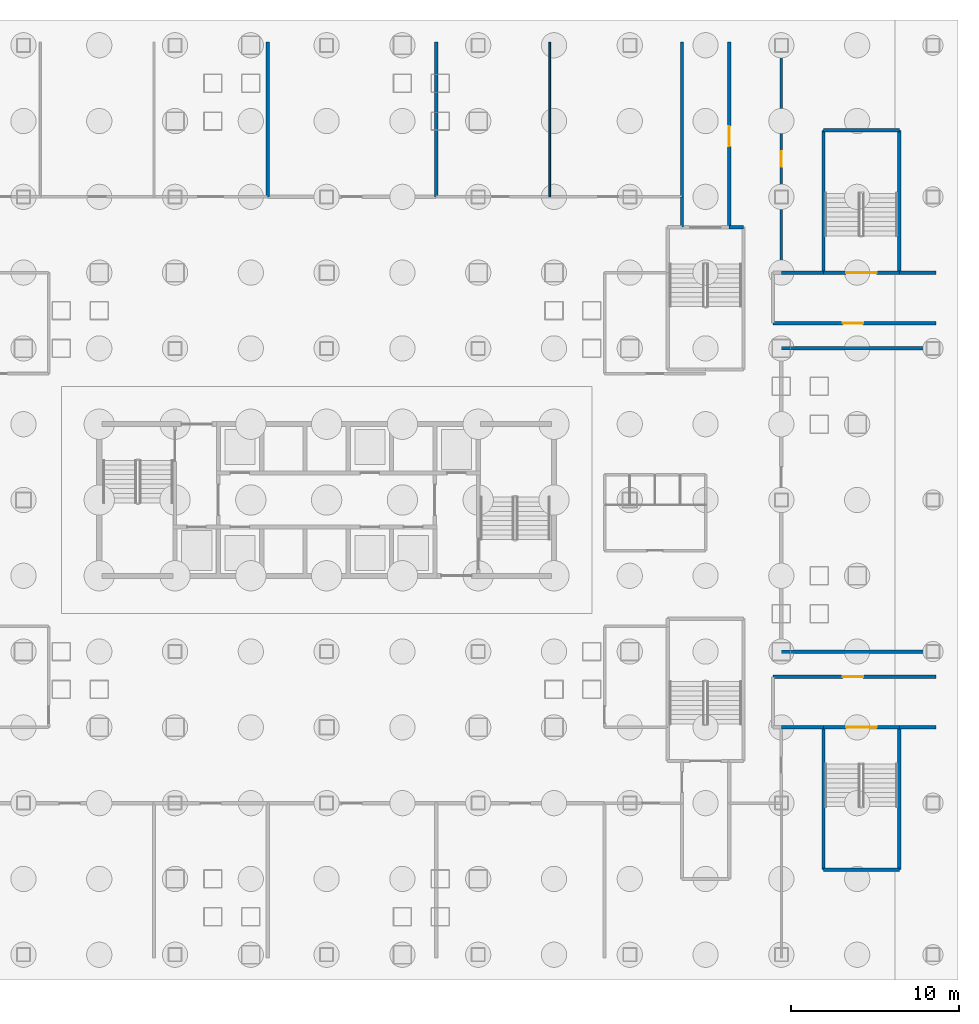
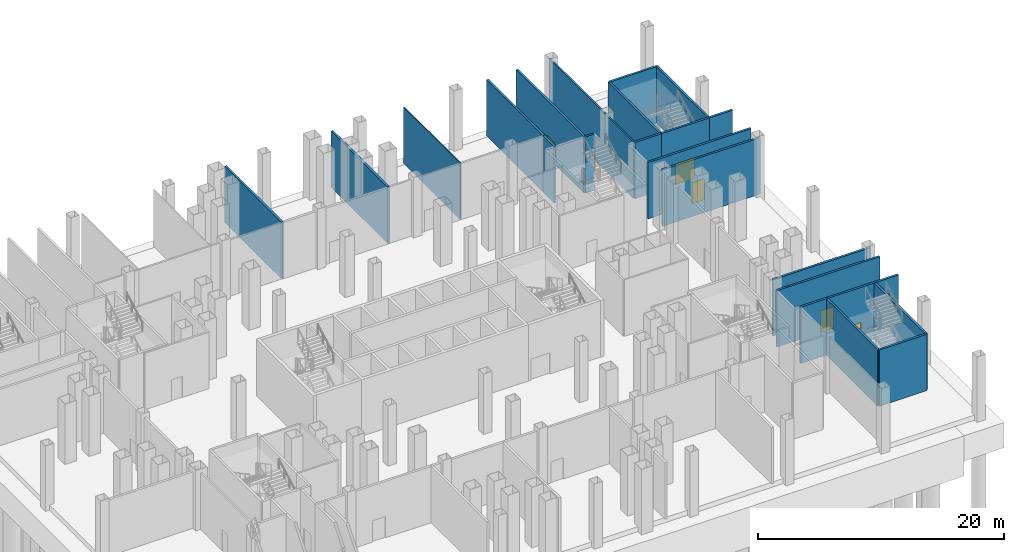
# One storey, part 7 of 25: 24 walls, 6 doors, 6 openings.
"""IFC4 building model written with IfcOpenShell, lengths in metres."""

from ifc_helpers import new_model, si_unit, direction, frame, frame_2d, origin, place, context, subcontext, project, spatial, rectangle, extrude, material, layer, layer_set, type_object, element, fill, save


model = new_model("IFC4")

# Units and contexts
model_context = context("Model", 3, precision=1e-05, world=origin(), true_north=direction((0.0, 1.0)))
body_context = subcontext(model_context, "Body", "Model", "MODEL_VIEW")
ifc_project = project(units=[si_unit("LENGTHUNIT", "METRE"), si_unit("AREAUNIT", "SQUARE_METRE"), si_unit("VOLUMEUNIT", "CUBIC_METRE"), si_unit("PLANEANGLEUNIT", "RADIAN"), si_unit("MASSUNIT", "GRAM", prefix="KILO")], contexts=[model_context])

# Site, building, storey
site_placement = place(None, origin())
site = spatial("IfcSite", under=ifc_project, at=site_placement, CompositionType="ELEMENT")
building_placement = place(site_placement, origin())
building = spatial("IfcBuilding", under=site, at=building_placement, Name="Caravel Reach Hotel and Residences", CompositionType="ELEMENT")
storey_placement = place(building_placement, frame((0.0, 0.0, -6.0)))
storey = spatial("IfcBuildingStorey", under=building, at=storey_placement, Name="B1", CompositionType="ELEMENT", Elevation=-6.0)

# Walls
ifc_material_1 = material(Name="Autoclaved aerated block wall")
ifc_layer_1 = layer(ifc_material_1, 0.199951171875)
ifc_layer_set_1 = layer_set([ifc_layer_1], Name="Compartment wall 200 mm EI 120")
wall_type_1 = type_object("IfcWallType", Name="Compartment wall 200 mm EI 120", PredefinedType="PARTITIONING", material=ifc_layer_set_1)
wall_1_placement = place(storey_placement, frame((58.5, 13.5, 0.0), z_axis=(0.0, 0.0, 1.0), x_axis=(1.0, 0.0, 0.0)))
element("IfcWall", 1, at=wall_1_placement, inside=storey, type_object=wall_type_1, Name="B1 wall w032", PredefinedType="PARTITIONING", context=body_context, shape_type="SweptSolid", body=[
    extrude(rectangle(XDim=2.5, YDim=0.199951171875, at=frame_2d((1.25, 0.0))), origin(), (0.0, 0.0, 1.0), 5.60009765625),
])
wall_2_placement = place(storey_placement, frame((65.5, 13.5, 0.0), z_axis=(0.0, 0.0, 1.0), x_axis=(1.0, 0.0, 0.0)))
element("IfcWall", 2, at=wall_2_placement, inside=storey, type_object=wall_type_1, Name="B1 wall w033", PredefinedType="PARTITIONING", context=body_context, shape_type="SweptSolid", body=[
    extrude(rectangle(XDim=2.18994140625, YDim=0.199951171875, at=frame_2d((1.094970703125, 0.0))), origin(), (0.0, 0.0, 1.0), 5.60009765625),
])

# Wall, opening, door
wall_3_placement = place(storey_placement, frame((58.0, 16.5, 0.0), z_axis=(0.0, 0.0, 1.0), x_axis=(1.0, 0.0, 0.0)))
wall_3 = element("IfcWall", 3, at=wall_3_placement, inside=storey, type_object=wall_type_1, Name="B1 wall w034", PredefinedType="PARTITIONING", context=body_context, shape_type="SweptSolid", body=[
    extrude(rectangle(XDim=9.68994140625, YDim=0.199951171875, at=frame_2d((4.844970703125, 0.0))), origin(), (0.0, 0.0, 1.0), 5.60009765625),
])
opening_1_placement = place(wall_3_placement, frame((4.14990234375, 0.0, 0.0)))
opening_1 = element("IfcOpeningElement", 4, at=opening_1_placement, cuts=wall_3, Name="Opening DB1-026", PredefinedType="OPENING", context=body_context, shape_type="SweptSolid", body=[
    extrude(rectangle(XDim=1.199951171875, YDim=2.10009765625, at=frame_2d((0.60009765625, 1.050048828125))), frame((0.0, 0.10986328125, 0.0), z_axis=(0.0, -1.0, 0.0), x_axis=(1.0, 0.0, 0.0)), (0.0, 0.0, 1.0), 0.219970703125),
])
ifc_material_2 = material(Name="Steel fire door leaf", Category="steel")
door_type_1 = type_object("IfcDoorType", Name="Fire lobby door 1200 x 2100 EI 90", OperationType="SINGLE_SWING_LEFT", PredefinedType="DOOR", material=ifc_material_2)
door_1_placement = place(opening_1_placement, origin())
door_1 = element("IfcDoor", 5, at=door_1_placement, inside=storey, type_object=door_type_1, Name="door DB1-026", OperationType="SINGLE_SWING_LEFT", OverallHeight=2.10009765625, OverallWidth=1.199951171875, PredefinedType="DOOR", context=body_context, shape_type="SweptSolid", body=[
    extrude(rectangle(XDim=1.199951171875, YDim=2.10009765625, at=frame_2d((0.60009765625, 1.050048828125))), frame((0.0, 0.02490234375, 0.0), z_axis=(0.0, -1.0, 0.0), x_axis=(1.0, 0.0, 0.0)), (0.0, 0.0, 1.0), 0.050048828125),
])
fill(opening_1, door_1)

# Walls
for number, where, z_axis, x_axis, name in (
    (6, (58.5, 18.0, 0.0), (0.0, 0.0, 1.0), (1.0, 0.0, 0.0), "B1 wall w036"),
    (7, (58.5, 36.0, 0.0), (0.0, 0.0, 1.0), (1.0, 0.0, 0.0), "B1 wall w038"),
):
    element("IfcWall", number, at=place(storey_placement, frame(where, z_axis=z_axis, x_axis=x_axis)), inside=storey, type_object=wall_type_1, Name=name, PredefinedType="PARTITIONING", context=body_context, shape_type="SweptSolid", body=[
        extrude(rectangle(XDim=9.18994140625, YDim=0.199951171875, at=frame_2d((4.594970703125, 0.0))), origin(), (0.0, 0.0, 1.0), 5.60009765625),
    ])

# Wall, opening, door
wall_4_placement = place(storey_placement, frame((58.0, 37.5, 0.0), z_axis=(0.0, 0.0, 1.0), x_axis=(1.0, 0.0, 0.0)))
wall_4 = element("IfcWall", 8, at=wall_4_placement, inside=storey, type_object=wall_type_1, Name="B1 wall w040", PredefinedType="PARTITIONING", context=body_context, shape_type="SweptSolid", body=[
    extrude(rectangle(XDim=9.68994140625, YDim=0.199951171875, at=frame_2d((4.844970703125, 0.0))), origin(), (0.0, 0.0, 1.0), 5.60009765625),
])
opening_2_placement = place(wall_4_placement, frame((4.14990234375, 0.0, 0.0)))
opening_2 = element("IfcOpeningElement", 9, at=opening_2_placement, cuts=wall_4, Name="Opening DB1-024", PredefinedType="OPENING", context=body_context, shape_type="SweptSolid", body=[
    extrude(rectangle(XDim=1.199951171875, YDim=2.10009765625, at=frame_2d((0.60009765625, 1.050048828125))), frame((0.0, 0.10986328125, 0.0), z_axis=(0.0, -1.0, 0.0), x_axis=(1.0, 0.0, 0.0)), (0.0, 0.0, 1.0), 0.219970703125),
])
door_2_placement = place(opening_2_placement, origin())
door_2 = element("IfcDoor", 10, at=door_2_placement, inside=storey, type_object=door_type_1, Name="door DB1-024", OperationType="SINGLE_SWING_RIGHT", OverallHeight=2.10009765625, OverallWidth=1.199951171875, PredefinedType="DOOR", context=body_context, shape_type="SweptSolid", body=[
    extrude(rectangle(XDim=1.199951171875, YDim=2.10009765625, at=frame_2d((0.60009765625, 1.050048828125))), frame((0.0, 0.02490234375, 0.0), z_axis=(0.0, -1.0, 0.0), x_axis=(1.0, 0.0, 0.0)), (0.0, 0.0, 1.0), 0.050048828125),
])
fill(opening_2, door_2)

# Walls
wall_5_placement = place(storey_placement, frame((58.5, 40.5, 0.0), z_axis=(0.0, 0.0, 1.0), x_axis=(1.0, 0.0, 0.0)))
element("IfcWall", 11, at=wall_5_placement, inside=storey, type_object=wall_type_1, Name="B1 wall w047", PredefinedType="PARTITIONING", context=body_context, shape_type="SweptSolid", body=[
    extrude(rectangle(XDim=2.5, YDim=0.199951171875, at=frame_2d((1.25, 0.0))), origin(), (0.0, 0.0, 1.0), 5.60009765625),
])
wall_6_placement = place(storey_placement, frame((65.5, 40.5, 0.0), z_axis=(0.0, 0.0, 1.0), x_axis=(1.0, 0.0, 0.0)))
element("IfcWall", 12, at=wall_6_placement, inside=storey, type_object=wall_type_1, Name="B1 wall w048", PredefinedType="PARTITIONING", context=body_context, shape_type="SweptSolid", body=[
    extrude(rectangle(XDim=2.18994140625, YDim=0.199951171875, at=frame_2d((1.094970703125, 0.0))), origin(), (0.0, 0.0, 1.0), 5.60009765625),
])
for number, where, z_axis, x_axis, name in (
    (13, (28.0, 45.0, 0.0), (0.0, 0.0, 1.0), (0.0, 1.0, 0.0), "B1 wall w063"),
    (14, (38.0, 45.0, 0.0), (0.0, 0.0, 1.0), (0.0, 1.0, 0.0), "B1 wall w065"),
):
    element("IfcWall", number, at=place(storey_placement, frame(where, z_axis=z_axis, x_axis=x_axis)), inside=storey, type_object=wall_type_1, Name=name, PredefinedType="PARTITIONING", context=body_context, shape_type="SweptSolid", body=[
        extrude(rectangle(XDim=9.18994140625, YDim=0.199951171875, at=frame_2d((4.594970703125, 0.0))), origin(), (0.0, 0.0, 1.0), 5.60009765625),
    ])
wall_7_placement = place(storey_placement, frame((52.60009765625, 43.199951171875, 0.0), z_axis=(0.0, 0.0, 1.0), x_axis=(0.0, 1.0, 0.0)))
element("IfcWall", 15, at=wall_7_placement, inside=storey, type_object=wall_type_1, Name="B1 wall w071", PredefinedType="PARTITIONING", context=body_context, shape_type="SweptSolid", body=[
    extrude(rectangle(XDim=1.800048828125, YDim=0.199951171875, at=frame_2d((0.89990234375, 0.0))), origin(), (0.0, 0.0, 1.0), 5.60009765625),
])
wall_8_placement = place(storey_placement, frame((52.60009765625, 45.0, 0.0), z_axis=(0.0, 0.0, 1.0), x_axis=(0.0, 1.0, 0.0)))
element("IfcWall", 16, at=wall_8_placement, inside=storey, type_object=wall_type_1, Name="B1 wall w072", PredefinedType="PARTITIONING", context=body_context, shape_type="SweptSolid", body=[
    extrude(rectangle(XDim=9.18994140625, YDim=0.199951171875, at=frame_2d((4.594970703125, 0.0))), origin(), (0.0, 0.0, 1.0), 5.60009765625),
])

# Wall, opening, door
wall_9_placement = place(storey_placement, frame((55.39990234375, 43.199951171875, 0.0), z_axis=(0.0, 0.0, 1.0), x_axis=(0.0, 1.0, 0.0)))
wall_9 = element("IfcWall", 17, at=wall_9_placement, inside=storey, type_object=wall_type_1, Name="B1 wall w075", PredefinedType="PARTITIONING", context=body_context, shape_type="SweptSolid", body=[
    extrude(rectangle(XDim=10.989990234375, YDim=0.199951171875, at=frame_2d((5.4951171875, 0.0))), origin(), (0.0, 0.0, 1.0), 5.60009765625),
])
opening_3_placement = place(wall_9_placement, frame((4.800048828125, 0.0, 0.0)))
opening_3 = element("IfcOpeningElement", 18, at=opening_3_placement, cuts=wall_9, Name="Opening DB1-016", PredefinedType="OPENING", context=body_context, shape_type="SweptSolid", body=[
    extrude(rectangle(XDim=1.199951171875, YDim=2.10009765625, at=frame_2d((0.60009765625, 1.050048828125))), frame((0.0, 0.10986328125, 0.0), z_axis=(0.0, -1.0, 0.0), x_axis=(1.0, 0.0, 0.0)), (0.0, 0.0, 1.0), 0.219970703125),
])
door_3_placement = place(opening_3_placement, origin())
door_3 = element("IfcDoor", 19, at=door_3_placement, inside=storey, type_object=door_type_1, Name="door DB1-016", OperationType="SINGLE_SWING_LEFT", OverallHeight=2.10009765625, OverallWidth=1.199951171875, PredefinedType="DOOR", context=body_context, shape_type="SweptSolid", body=[
    extrude(rectangle(XDim=1.199951171875, YDim=2.10009765625, at=frame_2d((0.60009765625, 1.050048828125))), frame((0.0, 0.02490234375, 0.0), z_axis=(0.0, -1.0, 0.0), x_axis=(1.0, 0.0, 0.0)), (0.0, 0.0, 1.0), 0.050048828125),
])
fill(opening_3, door_3)

ifc_material_3 = material(Name="Gypsum board on steel stud, fire-rated", Category="steel")
ifc_layer_2 = layer(ifc_material_3, 0.14990234375)
ifc_layer_set_2 = layer_set([ifc_layer_2], Name="Corridor wall 150 mm EI 60")
wall_type_2 = type_object("IfcWallType", Name="Corridor wall 150 mm EI 60", PredefinedType="PARTITIONING", material=ifc_layer_set_2)
wall_10_placement = place(storey_placement, frame((58.5, 40.5, 0.0), z_axis=(0.0, 0.0, 1.0), x_axis=(0.0, 1.0, 0.0)))
wall_10 = element("IfcWall", 20, at=wall_10_placement, inside=storey, type_object=wall_type_2, Name="B1 wall w026", PredefinedType="PARTITIONING", context=body_context, shape_type="SweptSolid", body=[
    extrude(rectangle(XDim=13.68994140625, YDim=0.14990234375, at=frame_2d((6.844970703125, 0.0))), origin(), (0.0, 0.0, 1.0), 5.60009765625),
])
opening_4_placement = place(wall_10_placement, frame((6.300048828125, 0.0, 0.0)))
opening_4 = element("IfcOpeningElement", 21, at=opening_4_placement, cuts=wall_10, Name="Opening DB1-033", PredefinedType="OPENING", context=body_context, shape_type="SweptSolid", body=[
    extrude(rectangle(XDim=0.89990234375, YDim=2.10009765625, at=frame_2d((0.449951171875, 1.050048828125))), frame((0.0, 0.0849609375, 0.0), z_axis=(0.0, -1.0, 0.0), x_axis=(1.0, 0.0, 0.0)), (0.0, 0.0, 1.0), 0.169921875),
])
ifc_material_4 = material(Name="Timber and steel door leaf", Category="steel")
door_type_2 = type_object("IfcDoorType", Name="Door 900 x 2100 timber", OperationType="SINGLE_SWING_LEFT", PredefinedType="DOOR", material=ifc_material_4)
door_4_placement = place(opening_4_placement, origin())
door_4 = element("IfcDoor", 22, at=door_4_placement, inside=storey, type_object=door_type_2, Name="door DB1-033", OperationType="SINGLE_SWING_LEFT", OverallHeight=2.10009765625, OverallWidth=0.89990234375, PredefinedType="DOOR", context=body_context, shape_type="SweptSolid", body=[
    extrude(rectangle(XDim=0.89990234375, YDim=2.10009765625, at=frame_2d((0.449951171875, 1.050048828125))), frame((0.0, 0.02490234375, 0.0), z_axis=(0.0, -1.0, 0.0), x_axis=(1.0, 0.0, 0.0)), (0.0, 0.0, 1.0), 0.050048828125),
])
fill(opening_4, door_4)

# Wall
ifc_material_5 = material(Name="Gypsum board on steel stud", Category="steel")
ifc_layer_3 = layer(ifc_material_5, 0.10009765625)
ifc_layer_set_3 = layer_set([ifc_layer_3], Name="Partition 100 mm")
wall_type_3 = type_object("IfcWallType", Name="Partition 100 mm", PredefinedType="PARTITIONING", material=ifc_layer_set_3)
wall_11_placement = place(storey_placement, frame((44.75, 45.0, 0.0), z_axis=(0.0, 0.0, 1.0), x_axis=(0.0, 1.0, 0.0)))
element("IfcWall", 23, at=wall_11_placement, inside=storey, type_object=wall_type_3, Name="B1 wall w029", PredefinedType="PARTITIONING", context=body_context, shape_type="SweptSolid", body=[
    extrude(rectangle(XDim=9.18994140625, YDim=0.10009765625, at=frame_2d((4.594970703125, 0.0))), origin(), (0.0, 0.0, 1.0), 5.60009765625),
])

# Wall, opening, door
ifc_material_6 = material(Name="Concrete C60", Category="concrete")
ifc_layer_4 = layer(ifc_material_6, 0.199951171875)
ifc_layer_set_4 = layer_set([ifc_layer_4], Name="Stair enclosure wall 200 mm EI 120")
wall_type_4 = type_object("IfcWallType", Name="Stair enclosure wall 200 mm EI 120", PredefinedType="SHEAR", material=ifc_layer_set_4)
wall_12_placement = place(storey_placement, frame((61.0, 13.5, 0.0), z_axis=(0.0, 0.0, 1.0), x_axis=(1.0, 0.0, 0.0)))
wall_12 = element("IfcWall", 24, at=wall_12_placement, inside=storey, type_object=wall_type_4, Name="B1 wall w090", PredefinedType="SHEAR", context=body_context, shape_type="SweptSolid", body=[
    extrude(rectangle(XDim=4.5, YDim=0.199951171875, at=frame_2d((2.25, 0.0))), origin(), (0.0, 0.0, 1.0), 5.60009765625),
])
opening_5_placement = place(wall_12_placement, frame((1.35009765625, 0.0, 0.0)))
opening_5 = element("IfcOpeningElement", 25, at=opening_5_placement, cuts=wall_12, Name="Opening DB1-027", PredefinedType="OPENING", context=body_context, shape_type="SweptSolid", body=[
    extrude(rectangle(XDim=1.800048828125, YDim=2.10009765625, at=frame_2d((0.89990234375, 1.050048828125))), frame((0.0, 0.10986328125, 0.0), z_axis=(0.0, -1.0, 0.0), x_axis=(1.0, 0.0, 0.0)), (0.0, 0.0, 1.0), 0.219970703125),
])
ifc_material_7 = material(Name="Steel fire door leaf", Category="steel")
door_type_3 = type_object("IfcDoorType", Name="Stair door pair 1800 x 2100 EI 90", OperationType="DOUBLE_DOOR_SINGLE_SWING", PredefinedType="DOOR", material=ifc_material_7)
door_5_placement = place(opening_5_placement, origin())
door_5 = element("IfcDoor", 26, at=door_5_placement, inside=storey, type_object=door_type_3, Name="door DB1-027", OperationType="DOUBLE_DOOR_SINGLE_SWING", OverallHeight=2.10009765625, OverallWidth=1.800048828125, PredefinedType="DOOR", context=body_context, shape_type="SweptSolid", body=[
    extrude(rectangle(XDim=1.800048828125, YDim=2.10009765625, at=frame_2d((0.89990234375, 1.050048828125))), frame((0.0, 0.02490234375, 0.0), z_axis=(0.0, -1.0, 0.0), x_axis=(1.0, 0.0, 0.0)), (0.0, 0.0, 1.0), 0.050048828125),
])
fill(opening_5, door_5)

wall_13_placement = place(storey_placement, frame((61.0, 40.5, 0.0), z_axis=(0.0, 0.0, 1.0), x_axis=(1.0, 0.0, 0.0)))
wall_13 = element("IfcWall", 27, at=wall_13_placement, inside=storey, type_object=wall_type_4, Name="B1 wall w098", PredefinedType="SHEAR", context=body_context, shape_type="SweptSolid", body=[
    extrude(rectangle(XDim=4.5, YDim=0.199951171875, at=frame_2d((2.25, 0.0))), origin(), (0.0, 0.0, 1.0), 5.60009765625),
])
opening_6_placement = place(wall_13_placement, frame((1.35009765625, 0.0, 0.0)))
opening_6 = element("IfcOpeningElement", 28, at=opening_6_placement, cuts=wall_13, Name="Opening DB1-025", PredefinedType="OPENING", context=body_context, shape_type="SweptSolid", body=[
    extrude(rectangle(XDim=1.800048828125, YDim=2.10009765625, at=frame_2d((0.89990234375, 1.050048828125))), frame((0.0, 0.10986328125, 0.0), z_axis=(0.0, -1.0, 0.0), x_axis=(1.0, 0.0, 0.0)), (0.0, 0.0, 1.0), 0.219970703125),
])
door_6_placement = place(opening_6_placement, origin())
door_6 = element("IfcDoor", 29, at=door_6_placement, inside=storey, type_object=door_type_3, Name="door DB1-025", OperationType="DOUBLE_DOOR_SINGLE_SWING", OverallHeight=2.10009765625, OverallWidth=1.800048828125, PredefinedType="DOOR", context=body_context, shape_type="SweptSolid", body=[
    extrude(rectangle(XDim=1.800048828125, YDim=2.10009765625, at=frame_2d((0.89990234375, 1.050048828125))), frame((0.0, 0.02490234375, 0.0), z_axis=(0.0, -1.0, 0.0), x_axis=(1.0, 0.0, 0.0)), (0.0, 0.0, 1.0), 0.050048828125),
])
fill(opening_6, door_6)

# Walls
wall_14_placement = place(storey_placement, frame((55.39990234375, 43.199951171875, 0.0), z_axis=(0.0, 0.0, 1.0), x_axis=(1.0, 0.0, 0.0)))
element("IfcWall", 30, at=wall_14_placement, inside=storey, type_object=wall_type_4, Name="B1 wall w103", PredefinedType="SHEAR", context=body_context, shape_type="SweptSolid", body=[
    extrude(rectangle(XDim=0.85009765625, YDim=0.199951171875, at=frame_2d((0.425048828125, 0.0))), origin(), (0.0, 0.0, 1.0), 5.60009765625),
])
for number, where, z_axis, x_axis, name in (
    (31, (61.0, 48.949951171875, 0.0), (0.0, 0.0, 1.0), (1.0, 0.0, 0.0), "B1 wall w106"),
    (32, (61.0, 5.050048828125, 0.0), (0.0, 0.0, 1.0), (1.0, 0.0, 0.0), "B1 wall w107"),
):
    element("IfcWall", number, at=place(storey_placement, frame(where, z_axis=z_axis, x_axis=x_axis)), inside=storey, type_object=wall_type_4, Name=name, PredefinedType="SHEAR", context=body_context, shape_type="SweptSolid", body=[
        extrude(rectangle(XDim=4.5, YDim=0.199951171875, at=frame_2d((2.25, 0.0))), origin(), (0.0, 0.0, 1.0), 5.60009765625),
    ])
for number, where, z_axis, x_axis, name in (
    (33, (61.0, 40.5, 0.0), (0.0, 0.0, 1.0), (0.0, 1.0, 0.0), "B1 wall w124"),
    (34, (61.0, 5.050048828125, 0.0), (0.0, 0.0, 1.0), (0.0, 1.0, 0.0), "B1 wall w125"),
    (35, (65.5, 40.5, 0.0), (0.0, 0.0, 1.0), (0.0, 1.0, 0.0), "B1 wall w126"),
    (36, (65.5, 5.050048828125, 0.0), (0.0, 0.0, 1.0), (0.0, 1.0, 0.0), "B1 wall w127"),
):
    element("IfcWall", number, at=place(storey_placement, frame(where, z_axis=z_axis, x_axis=x_axis)), inside=storey, type_object=wall_type_4, Name=name, PredefinedType="SHEAR", context=body_context, shape_type="SweptSolid", body=[
        extrude(rectangle(XDim=8.449951171875, YDim=0.199951171875, at=frame_2d((4.22509765625, 0.0))), origin(), (0.0, 0.0, 1.0), 5.60009765625),
    ])

save(model, "model.ifc")
